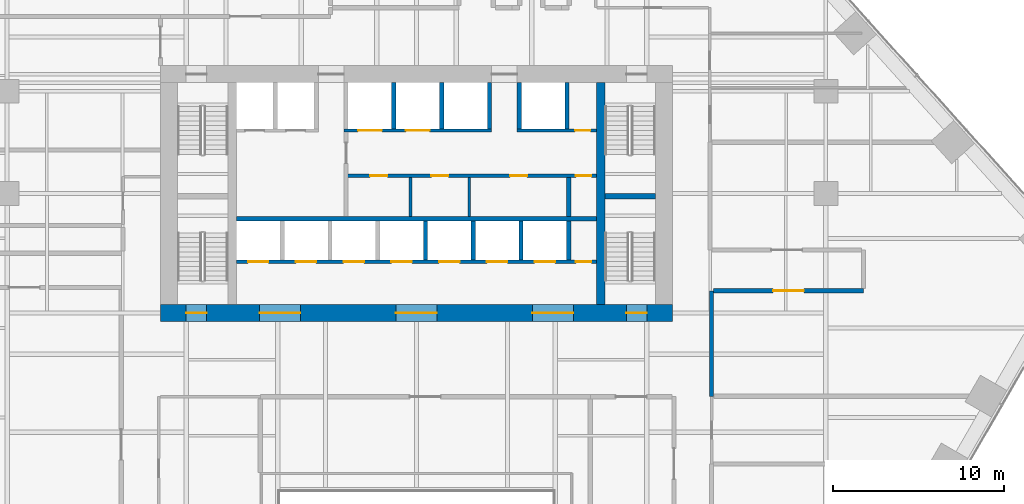
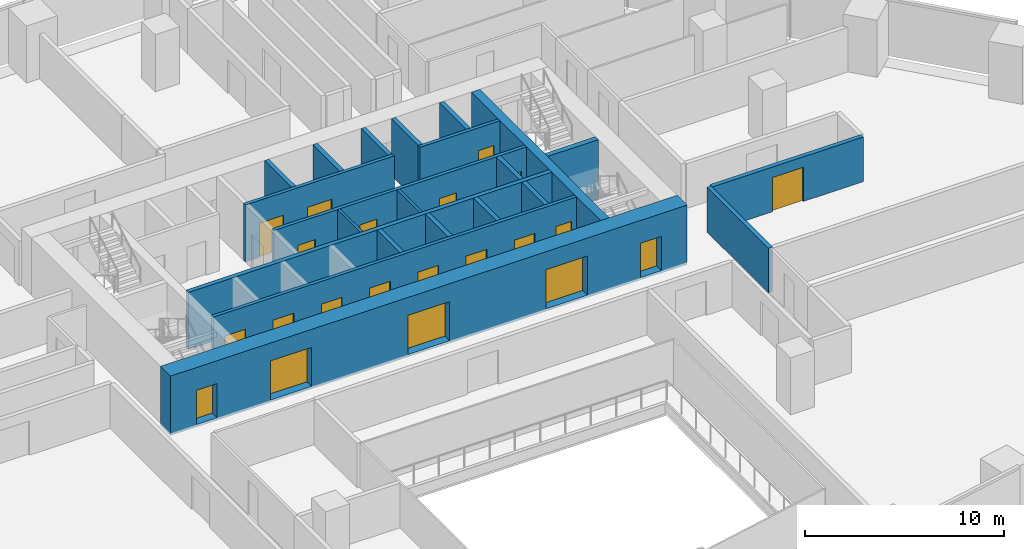
# One storey, part 15 of 21: 22 walls, 21 doors, 21 openings.
"""IFC4 building model written with IfcOpenShell, lengths in metres."""

from ifc_helpers import new_model, si_unit, direction, frame, frame_2d, origin, place, context, subcontext, project, spatial, rectangle, extrude, material, layer, layer_set, type_object, element, fill, save


model = new_model("IFC4")

# Units and contexts
model_context = context("Model", 3, precision=1e-05, world=origin(), true_north=direction((0.0, 1.0)))
body_context = subcontext(model_context, "Body", "Model", "MODEL_VIEW")
ifc_project = project(units=[si_unit("LENGTHUNIT", "METRE"), si_unit("AREAUNIT", "SQUARE_METRE"), si_unit("VOLUMEUNIT", "CUBIC_METRE"), si_unit("PLANEANGLEUNIT", "RADIAN"), si_unit("MASSUNIT", "GRAM", prefix="KILO")], contexts=[model_context])

# Site, building, storey
site_placement = place(None, origin())
site = spatial("IfcSite", under=ifc_project, at=site_placement, CompositionType="ELEMENT")
building_placement = place(site_placement, origin())
building = spatial("IfcBuilding", under=site, at=building_placement, Name="Isthmus Gate Tower", CompositionType="ELEMENT")
storey_placement = place(building_placement, frame((0.0, 0.0, 50.60009765625)))
storey = spatial("IfcBuildingStorey", under=building, at=storey_placement, Name="L10", CompositionType="ELEMENT", Elevation=50.60009765625)

# Wall
ifc_material_1 = material(Name="Double-leaf acoustic stud wall, fire-rated", Category="gypsum")
ifc_layer_1 = layer(ifc_material_1, 0.25)
ifc_layer_set_1 = layer_set([ifc_layer_1], Name="ACOUSTIC WALL 250 60 MIN")
wall_type_1 = type_object("IfcWallType", Name="ACOUSTIC WALL 250 60 MIN", PredefinedType="PARTITIONING", material=ifc_layer_set_1)
wall_1_placement = place(storey_placement, frame((17.300048828125, 1.800048828125, 0.0), z_axis=(0.0, 0.0, 1.0), x_axis=(0.0, -1.0, 0.0)))
element("IfcWall", 1, at=wall_1_placement, inside=storey, type_object=wall_type_1, Name="L10 Acoustic Wall 250 60 Min", PredefinedType="PARTITIONING", context=body_context, shape_type="SweptSolid", body=[
    extrude(rectangle(XDim=6.18994140625, YDim=0.25, at=frame_2d((3.094970703125, 0.0))), origin(), (0.0, 0.0, 1.0), 2.7412109375),
])

# Wall, opening, door
wall_2_placement = place(storey_placement, frame((26.199951171875, 1.800048828125, 0.0), z_axis=(0.0, 0.0, 1.0), x_axis=(-1.0, 0.0, 0.0)))
wall_2 = element("IfcWall", 2, at=wall_2_placement, inside=storey, type_object=wall_type_1, Name="L10 Acoustic Wall 250 60 Min", PredefinedType="PARTITIONING", context=body_context, shape_type="SweptSolid", body=[
    extrude(rectangle(XDim=8.77490234375, YDim=0.25, at=frame_2d((4.387451171875, 0.0))), origin(), (0.0, 0.0, 1.0), 2.7412109375),
])
opening_1_placement = place(wall_2_placement, frame((3.487548828125, 0.0, 0.0)))
opening_1 = element("IfcOpeningElement", 3, at=opening_1_placement, cuts=wall_2, Name="Opening DT-T1B-10", PredefinedType="OPENING", context=body_context, shape_type="SweptSolid", body=[
    extrude(rectangle(XDim=1.800048828125, YDim=2.10009765625, at=frame_2d((0.89990234375, 1.050048828125))), frame((0.0, 0.135009765625, 0.0), z_axis=(0.0, -1.0, 0.0), x_axis=(1.0, 0.0, 0.0)), (0.0, 0.0, 1.0), 0.27001953125),
])
ifc_material_2 = material(Name="Solid core timber door leaf, fire-rated", Category="wood")
door_type_1 = type_object("IfcDoorType", Name="FIRE DOOR ACOUSTIC ROOM 1800 X 2100 60 MIN", OperationType="DOUBLE_DOOR_DOUBLE_SWING", PredefinedType="DOOR", material=ifc_material_2)
door_1_placement = place(opening_1_placement, origin())
door_1 = element("IfcDoor", 4, at=door_1_placement, inside=storey, type_object=door_type_1, Name="L10 room door", OperationType="DOUBLE_DOOR_DOUBLE_SWING", OverallHeight=2.10009765625, OverallWidth=1.800048828125, PredefinedType="DOOR", context=body_context, shape_type="SweptSolid", body=[
    extrude(rectangle(XDim=1.800048828125, YDim=2.10009765625, at=frame_2d((0.89990234375, 1.050048828125))), frame((0.0, 0.02490234375, 0.0), z_axis=(0.0, -1.0, 0.0), x_axis=(1.0, 0.0, 0.0)), (0.0, 0.0, 1.0), 0.050048828125),
])
fill(opening_1, door_1)

# Wall
ifc_material_3 = material(Name="Concrete f'c 70 MPa", Category="concrete")
ifc_layer_2 = layer(ifc_material_3, 0.5)
ifc_layer_set_2 = layer_set([ifc_layer_2], Name="RC CORE SPINE WALL 500 F'C 70")
wall_type_2 = type_object("IfcWallType", Name="RC CORE SPINE WALL 500 F'C 70", PredefinedType="SOLIDWALL", material=ifc_layer_set_2)
wall_3_placement = place(storey_placement, frame((10.800048828125, 1.0, -0.150146484375), z_axis=(0.0, 0.0, 1.0), x_axis=(0.0, 1.0, 0.0)))
element("IfcWall", 5, at=wall_3_placement, inside=storey, type_object=wall_type_2, Name="str-corewall-L10-SPE", PredefinedType="SOLIDWALL", context=body_context, shape_type="SweptSolid", body=[
    extrude(rectangle(XDim=13.0, YDim=0.5, at=frame_2d((6.5, 0.0))), origin(), (0.0, 0.0, 1.0), 3.650146484375),
])

# Wall, openings, doors
ifc_material_4 = material(Name="Concrete f'c 70 MPa", Category="concrete")
ifc_layer_3 = layer(ifc_material_4, 1.0)
ifc_layer_set_3 = layer_set([ifc_layer_3], Name="RC CORE WALL 1000 F'C 70")
wall_type_3 = type_object("IfcWallType", Name="RC CORE WALL 1000 F'C 70", PredefinedType="SOLIDWALL", material=ifc_layer_set_3)
wall_4_placement = place(storey_placement, frame((-15.0, 0.5, -0.150146484375), z_axis=(0.0, 0.0, 1.0), x_axis=(1.0, 0.0, 0.0)))
wall_4 = element("IfcWall", 6, at=wall_4_placement, inside=storey, type_object=wall_type_3, Name="str-corewall-L10-S", PredefinedType="SOLIDWALL", context=body_context, shape_type="SweptSolid", body=[
    extrude(rectangle(XDim=30.0, YDim=1.0, at=frame_2d((15.0, 0.0))), origin(), (0.0, 0.0, 1.0), 3.650146484375),
])
opening_2_placement = place(wall_4_placement, frame((5.800048828125, 0.0, 0.14990234375)))
opening_2 = element("IfcOpeningElement", 7, at=opening_2_placement, cuts=wall_4, Name="Opening DC-A03-08", PredefinedType="OPENING", context=body_context, shape_type="SweptSolid", body=[
    extrude(rectangle(XDim=2.39990234375, YDim=2.39990234375, at=frame_2d((1.199951171875, 1.199951171875))), frame((0.0, 0.510009765625, 0.0), z_axis=(0.0, -1.0, 0.0), x_axis=(1.0, 0.0, 0.0)), (0.0, 0.0, 1.0), 1.02001953125),
])
opening_3_placement = place(wall_4_placement, frame((13.800048828125, 0.0, 0.14990234375)))
opening_3 = element("IfcOpeningElement", 8, at=opening_3_placement, cuts=wall_4, Name="Opening DC-A03-09", PredefinedType="OPENING", context=body_context, shape_type="SweptSolid", body=[
    extrude(rectangle(XDim=2.39990234375, YDim=2.39990234375, at=frame_2d((1.199951171875, 1.199951171875))), frame((0.0, 0.510009765625, 0.0), z_axis=(0.0, -1.0, 0.0), x_axis=(1.0, 0.0, 0.0)), (0.0, 0.0, 1.0), 1.02001953125),
])
opening_4_placement = place(wall_4_placement, frame((21.800048828125, 0.0, 0.14990234375)))
opening_4 = element("IfcOpeningElement", 9, at=opening_4_placement, cuts=wall_4, Name="Opening DC-A03-10", PredefinedType="OPENING", context=body_context, shape_type="SweptSolid", body=[
    extrude(rectangle(XDim=2.39990234375, YDim=2.39990234375, at=frame_2d((1.199951171875, 1.199951171875))), frame((0.0, 0.510009765625, 0.0), z_axis=(0.0, -1.0, 0.0), x_axis=(1.0, 0.0, 0.0)), (0.0, 0.0, 1.0), 1.02001953125),
])
opening_5_placement = place(wall_4_placement, frame((1.5, 0.0, 0.14990234375)))
opening_5 = element("IfcOpeningElement", 10, at=opening_5_placement, cuts=wall_4, Name="Opening DC-A03-15", PredefinedType="OPENING", context=body_context, shape_type="SweptSolid", body=[
    extrude(rectangle(XDim=1.199951171875, YDim=2.10009765625, at=frame_2d((0.60009765625, 1.050048828125))), frame((0.0, 0.510009765625, 0.0), z_axis=(0.0, -1.0, 0.0), x_axis=(1.0, 0.0, 0.0)), (0.0, 0.0, 1.0), 1.02001953125),
])
opening_6_placement = place(wall_4_placement, frame((27.300048828125, 0.0, 0.14990234375)))
opening_6 = element("IfcOpeningElement", 11, at=opening_6_placement, cuts=wall_4, Name="Opening DC-A03-16", PredefinedType="OPENING", context=body_context, shape_type="SweptSolid", body=[
    extrude(rectangle(XDim=1.199951171875, YDim=2.10009765625, at=frame_2d((0.60009765625, 1.050048828125))), frame((0.0, 0.510009765625, 0.0), z_axis=(0.0, -1.0, 0.0), x_axis=(1.0, 0.0, 0.0)), (0.0, 0.0, 1.0), 1.02001953125),
])
ifc_material_5 = material(Name="Laminated safety glass in steel frame, fire-rated", Category="steel")
door_type_2 = type_object("IfcDoorType", Name="LOBBY ENTRANCE FIRE DOOR 2400 X 2400 60 MIN", OperationType="DOUBLE_DOOR_DOUBLE_SWING", PredefinedType="DOOR", material=ifc_material_5)
door_2_placement = place(opening_2_placement, origin())
door_2 = element("IfcDoor", 12, at=door_2_placement, inside=storey, type_object=door_type_2, Name="Lobby Entrance PS-W", OperationType="DOUBLE_DOOR_DOUBLE_SWING", OverallHeight=2.39990234375, OverallWidth=2.39990234375, PredefinedType="DOOR", context=body_context, shape_type="SweptSolid", body=[
    extrude(rectangle(XDim=2.39990234375, YDim=2.39990234375, at=frame_2d((1.199951171875, 1.199951171875))), frame((0.0, 0.02490234375, 0.0), z_axis=(0.0, -1.0, 0.0), x_axis=(1.0, 0.0, 0.0)), (0.0, 0.0, 1.0), 0.050048828125),
])
fill(opening_2, door_2)
door_3_placement = place(opening_3_placement, origin())
door_3 = element("IfcDoor", 13, at=door_3_placement, inside=storey, type_object=door_type_2, Name="Lobby Entrance PS-C", OperationType="DOUBLE_DOOR_DOUBLE_SWING", OverallHeight=2.39990234375, OverallWidth=2.39990234375, PredefinedType="DOOR", context=body_context, shape_type="SweptSolid", body=[
    extrude(rectangle(XDim=2.39990234375, YDim=2.39990234375, at=frame_2d((1.199951171875, 1.199951171875))), frame((0.0, 0.02490234375, 0.0), z_axis=(0.0, -1.0, 0.0), x_axis=(1.0, 0.0, 0.0)), (0.0, 0.0, 1.0), 0.050048828125),
])
fill(opening_3, door_3)
door_4_placement = place(opening_4_placement, origin())
door_4 = element("IfcDoor", 14, at=door_4_placement, inside=storey, type_object=door_type_2, Name="Lobby Entrance PS-E", OperationType="DOUBLE_DOOR_DOUBLE_SWING", OverallHeight=2.39990234375, OverallWidth=2.39990234375, PredefinedType="DOOR", context=body_context, shape_type="SweptSolid", body=[
    extrude(rectangle(XDim=2.39990234375, YDim=2.39990234375, at=frame_2d((1.199951171875, 1.199951171875))), frame((0.0, 0.02490234375, 0.0), z_axis=(0.0, -1.0, 0.0), x_axis=(1.0, 0.0, 0.0)), (0.0, 0.0, 1.0), 0.050048828125),
])
fill(opening_4, door_4)
ifc_material_6 = material(Name="Steel door leaf, fire-rated", Category="steel")
door_type_3 = type_object("IfcDoorType", Name="STAIR FIRE DOOR 1200 X 2100 90 MIN", OperationType="SINGLE_SWING_LEFT", PredefinedType="DOOR", material=ifc_material_6)
door_5_placement = place(opening_5_placement, origin())
door_5 = element("IfcDoor", 15, at=door_5_placement, inside=storey, type_object=door_type_3, Name="Exit Stair 7 Door", OperationType="SINGLE_SWING_LEFT", OverallHeight=2.10009765625, OverallWidth=1.199951171875, PredefinedType="DOOR", context=body_context, shape_type="SweptSolid", body=[
    extrude(rectangle(XDim=1.199951171875, YDim=2.10009765625, at=frame_2d((0.60009765625, 1.050048828125))), frame((0.0, 0.02490234375, 0.0), z_axis=(0.0, -1.0, 0.0), x_axis=(1.0, 0.0, 0.0)), (0.0, 0.0, 1.0), 0.050048828125),
])
fill(opening_5, door_5)
door_6_placement = place(opening_6_placement, origin())
door_6 = element("IfcDoor", 16, at=door_6_placement, inside=storey, type_object=door_type_3, Name="Exit Stair 8 Door", OperationType="SINGLE_SWING_RIGHT", OverallHeight=2.10009765625, OverallWidth=1.199951171875, PredefinedType="DOOR", context=body_context, shape_type="SweptSolid", body=[
    extrude(rectangle(XDim=1.199951171875, YDim=2.10009765625, at=frame_2d((0.60009765625, 1.050048828125))), frame((0.0, 0.02490234375, 0.0), z_axis=(0.0, -1.0, 0.0), x_axis=(1.0, 0.0, 0.0)), (0.0, 0.0, 1.0), 0.050048828125),
])
fill(opening_6, door_6)

# Walls
ifc_material_7 = material(Name="Gypsum board on steel studs, fire-rated", Category="steel")
ifc_layer_4 = layer(ifc_material_7, 0.14990234375)
ifc_layer_set_4 = layer_set([ifc_layer_4], Name="ROOM PARTITION 150 60 MIN")
wall_type_4 = type_object("IfcWallType", Name="ROOM PARTITION 150 60 MIN", PredefinedType="PARTITIONING", material=ifc_layer_set_4)
for number, where, z_axis, x_axis, name in (
    (17, (-0.35009765625, 6.14990234375, 0.0), (0.0, 0.0, 1.0), (0.0, 1.0, 0.0), "L10 ROOM PARTITION 150 60 MIN"),
    (18, (3.10009765625, 6.14990234375, 0.0), (0.0, 0.0, 1.0), (0.0, 1.0, 0.0), "L10 ROOM PARTITION 150 60 MIN"),
):
    element("IfcWall", number, at=place(storey_placement, frame(where, z_axis=z_axis, x_axis=x_axis)), inside=storey, type_object=wall_type_4, Name=name, PredefinedType="PARTITIONING", context=body_context, shape_type="SweptSolid", body=[
        extrude(rectangle(XDim=2.300048828125, YDim=0.14990234375, at=frame_2d((1.14990234375, 0.0))), origin(), (0.0, 0.0, 1.0), 3.5),
    ])

# Wall, openings, doors
ifc_material_8 = material(Name="Fire-rated blockwork masonry, 15 MPa", Category="masonry")
ifc_layer_5 = layer(ifc_material_8, 0.199951171875)
ifc_layer_set_5 = layer_set([ifc_layer_5], Name="SHAFT FRONT WALL 200 120 MIN")
wall_type_5 = type_object("IfcWallType", Name="SHAFT FRONT WALL 200 120 MIN", PredefinedType="PARTITIONING", material=ifc_layer_set_5)
wall_5_placement = place(storey_placement, frame((-10.550048828125, 3.5, 0.0), z_axis=(0.0, 0.0, 1.0), x_axis=(1.0, 0.0, 0.0)))
wall_5 = element("IfcWall", 19, at=wall_5_placement, inside=storey, type_object=wall_type_5, Name="L10 SHAFT FRONT WALL 200 120 MIN", PredefinedType="PARTITIONING", context=body_context, shape_type="SweptSolid", body=[
    extrude(rectangle(XDim=21.10009765625, YDim=0.199951171875, at=frame_2d((10.550048828125, 0.0))), origin(), (0.0, 0.0, 1.0), 3.5),
])
opening_7_placement = place(wall_5_placement, frame((0.675048828125, 0.0, 0.0)))
opening_7 = element("IfcOpeningElement", 20, at=opening_7_placement, cuts=wall_5, Name="Opening LD-LA1", PredefinedType="OPENING", context=body_context, shape_type="SweptSolid", body=[
    extrude(rectangle(XDim=1.199951171875, YDim=2.10009765625, at=frame_2d((0.60009765625, 1.050048828125))), frame((0.0, 0.10986328125, 0.0), z_axis=(0.0, -1.0, 0.0), x_axis=(1.0, 0.0, 0.0)), (0.0, 0.0, 1.0), 0.219970703125),
])
opening_8_placement = place(wall_5_placement, frame((3.47509765625, 0.0, 0.0)))
opening_8 = element("IfcOpeningElement", 21, at=opening_8_placement, cuts=wall_5, Name="Opening LD-LA2", PredefinedType="OPENING", context=body_context, shape_type="SweptSolid", body=[
    extrude(rectangle(XDim=1.199951171875, YDim=2.10009765625, at=frame_2d((0.60009765625, 1.050048828125))), frame((0.0, 0.10986328125, 0.0), z_axis=(0.0, -1.0, 0.0), x_axis=(1.0, 0.0, 0.0)), (0.0, 0.0, 1.0), 0.219970703125),
])
opening_9_placement = place(wall_5_placement, frame((6.27490234375, 0.0, 0.0)))
opening_9 = element("IfcOpeningElement", 22, at=opening_9_placement, cuts=wall_5, Name="Opening LD-LA3", PredefinedType="OPENING", context=body_context, shape_type="SweptSolid", body=[
    extrude(rectangle(XDim=1.199951171875, YDim=2.10009765625, at=frame_2d((0.60009765625, 1.050048828125))), frame((0.0, 0.10986328125, 0.0), z_axis=(0.0, -1.0, 0.0), x_axis=(1.0, 0.0, 0.0)), (0.0, 0.0, 1.0), 0.219970703125),
])
opening_10_placement = place(wall_5_placement, frame((9.074951171875, 0.0, 0.0)))
opening_10 = element("IfcOpeningElement", 23, at=opening_10_placement, cuts=wall_5, Name="Opening LD-LA4", PredefinedType="OPENING", context=body_context, shape_type="SweptSolid", body=[
    extrude(rectangle(XDim=1.199951171875, YDim=2.10009765625, at=frame_2d((0.60009765625, 1.050048828125))), frame((0.0, 0.10986328125, 0.0), z_axis=(0.0, -1.0, 0.0), x_axis=(1.0, 0.0, 0.0)), (0.0, 0.0, 1.0), 0.219970703125),
])
opening_11_placement = place(wall_5_placement, frame((11.875, 0.0, 0.0)))
opening_11 = element("IfcOpeningElement", 24, at=opening_11_placement, cuts=wall_5, Name="Opening LD-LA5", PredefinedType="OPENING", context=body_context, shape_type="SweptSolid", body=[
    extrude(rectangle(XDim=1.199951171875, YDim=2.10009765625, at=frame_2d((0.60009765625, 1.050048828125))), frame((0.0, 0.10986328125, 0.0), z_axis=(0.0, -1.0, 0.0), x_axis=(1.0, 0.0, 0.0)), (0.0, 0.0, 1.0), 0.219970703125),
])
opening_12_placement = place(wall_5_placement, frame((14.675048828125, 0.0, 0.0)))
opening_12 = element("IfcOpeningElement", 25, at=opening_12_placement, cuts=wall_5, Name="Opening LD-LA6", PredefinedType="OPENING", context=body_context, shape_type="SweptSolid", body=[
    extrude(rectangle(XDim=1.199951171875, YDim=2.10009765625, at=frame_2d((0.60009765625, 1.050048828125))), frame((0.0, 0.10986328125, 0.0), z_axis=(0.0, -1.0, 0.0), x_axis=(1.0, 0.0, 0.0)), (0.0, 0.0, 1.0), 0.219970703125),
])
opening_13_placement = place(wall_5_placement, frame((17.47509765625, 0.0, 0.0)))
opening_13 = element("IfcOpeningElement", 26, at=opening_13_placement, cuts=wall_5, Name="Opening LD-LA7", PredefinedType="OPENING", context=body_context, shape_type="SweptSolid", body=[
    extrude(rectangle(XDim=1.199951171875, YDim=2.10009765625, at=frame_2d((0.60009765625, 1.050048828125))), frame((0.0, 0.10986328125, 0.0), z_axis=(0.0, -1.0, 0.0), x_axis=(1.0, 0.0, 0.0)), (0.0, 0.0, 1.0), 0.219970703125),
])
opening_14_placement = place(wall_5_placement, frame((19.89990234375, 0.0, 0.0)))
opening_14 = element("IfcOpeningElement", 27, at=opening_14_placement, cuts=wall_5, Name="Opening DC-A03-02", PredefinedType="OPENING", context=body_context, shape_type="SweptSolid", body=[
    extrude(rectangle(XDim=0.89990234375, YDim=2.10009765625, at=frame_2d((0.449951171875, 1.050048828125))), frame((0.0, 0.10986328125, 0.0), z_axis=(0.0, -1.0, 0.0), x_axis=(1.0, 0.0, 0.0)), (0.0, 0.0, 1.0), 0.219970703125),
])
ifc_material_9 = material(Name="Stainless steel sliding leaf", Category="steel")
door_type_4 = type_object("IfcDoorType", Name="LIFT LANDING FIRE DOOR 1200 X 2100 90 MIN", OperationType="DOUBLE_DOOR_SLIDING", PredefinedType="DOOR", material=ifc_material_9)
door_7_placement = place(opening_7_placement, origin())
door_7 = element("IfcDoor", 28, at=door_7_placement, inside=storey, type_object=door_type_4, Name="Lift Landing Door LA1", OperationType="DOUBLE_DOOR_SLIDING", OverallHeight=2.10009765625, OverallWidth=1.199951171875, PredefinedType="DOOR", context=body_context, shape_type="SweptSolid", body=[
    extrude(rectangle(XDim=1.199951171875, YDim=2.10009765625, at=frame_2d((0.60009765625, 1.050048828125))), frame((0.0, 0.02490234375, 0.0), z_axis=(0.0, -1.0, 0.0), x_axis=(1.0, 0.0, 0.0)), (0.0, 0.0, 1.0), 0.050048828125),
])
fill(opening_7, door_7)
door_8_placement = place(opening_8_placement, origin())
door_8 = element("IfcDoor", 29, at=door_8_placement, inside=storey, type_object=door_type_4, Name="Lift Landing Door LA2", OperationType="DOUBLE_DOOR_SLIDING", OverallHeight=2.10009765625, OverallWidth=1.199951171875, PredefinedType="DOOR", context=body_context, shape_type="SweptSolid", body=[
    extrude(rectangle(XDim=1.199951171875, YDim=2.10009765625, at=frame_2d((0.60009765625, 1.050048828125))), frame((0.0, 0.02490234375, 0.0), z_axis=(0.0, -1.0, 0.0), x_axis=(1.0, 0.0, 0.0)), (0.0, 0.0, 1.0), 0.050048828125),
])
fill(opening_8, door_8)
door_9_placement = place(opening_9_placement, origin())
door_9 = element("IfcDoor", 30, at=door_9_placement, inside=storey, type_object=door_type_4, Name="Lift Landing Door LA3", OperationType="DOUBLE_DOOR_SLIDING", OverallHeight=2.10009765625, OverallWidth=1.199951171875, PredefinedType="DOOR", context=body_context, shape_type="SweptSolid", body=[
    extrude(rectangle(XDim=1.199951171875, YDim=2.10009765625, at=frame_2d((0.60009765625, 1.050048828125))), frame((0.0, 0.02490234375, 0.0), z_axis=(0.0, -1.0, 0.0), x_axis=(1.0, 0.0, 0.0)), (0.0, 0.0, 1.0), 0.050048828125),
])
fill(opening_9, door_9)
door_10_placement = place(opening_10_placement, origin())
door_10 = element("IfcDoor", 31, at=door_10_placement, inside=storey, type_object=door_type_4, Name="Lift Landing Door LA4", OperationType="DOUBLE_DOOR_SLIDING", OverallHeight=2.10009765625, OverallWidth=1.199951171875, PredefinedType="DOOR", context=body_context, shape_type="SweptSolid", body=[
    extrude(rectangle(XDim=1.199951171875, YDim=2.10009765625, at=frame_2d((0.60009765625, 1.050048828125))), frame((0.0, 0.02490234375, 0.0), z_axis=(0.0, -1.0, 0.0), x_axis=(1.0, 0.0, 0.0)), (0.0, 0.0, 1.0), 0.050048828125),
])
fill(opening_10, door_10)
door_11_placement = place(opening_11_placement, origin())
door_11 = element("IfcDoor", 32, at=door_11_placement, inside=storey, type_object=door_type_4, Name="Lift Landing Door LA5", OperationType="DOUBLE_DOOR_SLIDING", OverallHeight=2.10009765625, OverallWidth=1.199951171875, PredefinedType="DOOR", context=body_context, shape_type="SweptSolid", body=[
    extrude(rectangle(XDim=1.199951171875, YDim=2.10009765625, at=frame_2d((0.60009765625, 1.050048828125))), frame((0.0, 0.02490234375, 0.0), z_axis=(0.0, -1.0, 0.0), x_axis=(1.0, 0.0, 0.0)), (0.0, 0.0, 1.0), 0.050048828125),
])
fill(opening_11, door_11)
door_12_placement = place(opening_12_placement, origin())
door_12 = element("IfcDoor", 33, at=door_12_placement, inside=storey, type_object=door_type_4, Name="Lift Landing Door LA6", OperationType="DOUBLE_DOOR_SLIDING", OverallHeight=2.10009765625, OverallWidth=1.199951171875, PredefinedType="DOOR", context=body_context, shape_type="SweptSolid", body=[
    extrude(rectangle(XDim=1.199951171875, YDim=2.10009765625, at=frame_2d((0.60009765625, 1.050048828125))), frame((0.0, 0.02490234375, 0.0), z_axis=(0.0, -1.0, 0.0), x_axis=(1.0, 0.0, 0.0)), (0.0, 0.0, 1.0), 0.050048828125),
])
fill(opening_12, door_12)
door_13_placement = place(opening_13_placement, origin())
door_13 = element("IfcDoor", 34, at=door_13_placement, inside=storey, type_object=door_type_4, Name="Lift Landing Door LA7", OperationType="DOUBLE_DOOR_SLIDING", OverallHeight=2.10009765625, OverallWidth=1.199951171875, PredefinedType="DOOR", context=body_context, shape_type="SweptSolid", body=[
    extrude(rectangle(XDim=1.199951171875, YDim=2.10009765625, at=frame_2d((0.60009765625, 1.050048828125))), frame((0.0, 0.02490234375, 0.0), z_axis=(0.0, -1.0, 0.0), x_axis=(1.0, 0.0, 0.0)), (0.0, 0.0, 1.0), 0.050048828125),
])
fill(opening_13, door_13)
ifc_material_10 = material(Name="Steel door leaf, fire-rated", Category="steel")
door_type_5 = type_object("IfcDoorType", Name="RISER FIRE DOOR 900 X 2100 90 MIN", OperationType="SINGLE_SWING_LEFT", PredefinedType="DOOR", material=ifc_material_10)
door_14_placement = place(opening_14_placement, origin())
door_14 = element("IfcDoor", 35, at=door_14_placement, inside=storey, type_object=door_type_5, Name="Riser Door", OperationType="SINGLE_SWING_RIGHT", OverallHeight=2.10009765625, OverallWidth=0.89990234375, PredefinedType="DOOR", context=body_context, shape_type="SweptSolid", body=[
    extrude(rectangle(XDim=0.89990234375, YDim=2.10009765625, at=frame_2d((0.449951171875, 1.050048828125))), frame((0.0, 0.02490234375, 0.0), z_axis=(0.0, -1.0, 0.0), x_axis=(1.0, 0.0, 0.0)), (0.0, 0.0, 1.0), 0.050048828125),
])
fill(opening_14, door_14)

wall_6_placement = place(storey_placement, frame((-4.125, 8.550048828125, 0.0), z_axis=(0.0, 0.0, 1.0), x_axis=(1.0, 0.0, 0.0)))
wall_6 = element("IfcWall", 36, at=wall_6_placement, inside=storey, type_object=wall_type_5, Name="L10 SHAFT FRONT WALL 200 120 MIN", PredefinedType="PARTITIONING", context=body_context, shape_type="SweptSolid", body=[
    extrude(rectangle(XDim=14.675048828125, YDim=0.199951171875, at=frame_2d((7.33740234375, 0.0))), origin(), (0.0, 0.0, 1.0), 3.5),
])
opening_15_placement = place(wall_6_placement, frame((1.41259765625, 0.0, 0.0)))
opening_15 = element("IfcOpeningElement", 37, at=opening_15_placement, cuts=wall_6, Name="Opening DC-A03-03", PredefinedType="OPENING", context=body_context, shape_type="SweptSolid", body=[
    extrude(rectangle(XDim=1.0, YDim=2.10009765625, at=frame_2d((0.5, 1.050048828125))), frame((0.0, 0.10986328125, 0.0), z_axis=(0.0, -1.0, 0.0), x_axis=(1.0, 0.0, 0.0)), (0.0, 0.0, 1.0), 0.219970703125),
])
opening_16_placement = place(wall_6_placement, frame((5.0, 0.0, 0.0)))
opening_16 = element("IfcOpeningElement", 38, at=opening_16_placement, cuts=wall_6, Name="Opening DC-A03-04", PredefinedType="OPENING", context=body_context, shape_type="SweptSolid", body=[
    extrude(rectangle(XDim=1.0, YDim=2.10009765625, at=frame_2d((0.5, 1.050048828125))), frame((0.0, 0.10986328125, 0.0), z_axis=(0.0, -1.0, 0.0), x_axis=(1.0, 0.0, 0.0)), (0.0, 0.0, 1.0), 0.219970703125),
])
opening_17_placement = place(wall_6_placement, frame((9.612548828125, 0.0, 0.0)))
opening_17 = element("IfcOpeningElement", 39, at=opening_17_placement, cuts=wall_6, Name="Opening DC-A03-05", PredefinedType="OPENING", context=body_context, shape_type="SweptSolid", body=[
    extrude(rectangle(XDim=1.0, YDim=2.10009765625, at=frame_2d((0.5, 1.050048828125))), frame((0.0, 0.10986328125, 0.0), z_axis=(0.0, -1.0, 0.0), x_axis=(1.0, 0.0, 0.0)), (0.0, 0.0, 1.0), 0.219970703125),
])
opening_18_placement = place(wall_6_placement, frame((13.47509765625, 0.0, 0.0)))
opening_18 = element("IfcOpeningElement", 40, at=opening_18_placement, cuts=wall_6, Name="Opening DC-A03-06", PredefinedType="OPENING", context=body_context, shape_type="SweptSolid", body=[
    extrude(rectangle(XDim=0.89990234375, YDim=2.10009765625, at=frame_2d((0.449951171875, 1.050048828125))), frame((0.0, 0.10986328125, 0.0), z_axis=(0.0, -1.0, 0.0), x_axis=(1.0, 0.0, 0.0)), (0.0, 0.0, 1.0), 0.219970703125),
])
ifc_material_11 = material(Name="Steel door leaf, fire-rated", Category="steel")
door_type_6 = type_object("IfcDoorType", Name="FIRE DOOR 1000 X 2100 60 MIN", OperationType="SINGLE_SWING_LEFT", PredefinedType="DOOR", material=ifc_material_11)
door_15_placement = place(opening_15_placement, origin())
door_15 = element("IfcDoor", 41, at=door_15_placement, inside=storey, type_object=door_type_6, Name="WC Men Door", OperationType="SINGLE_SWING_LEFT", OverallHeight=2.10009765625, OverallWidth=1.0, PredefinedType="DOOR", context=body_context, shape_type="SweptSolid", body=[
    extrude(rectangle(XDim=1.0, YDim=2.10009765625, at=frame_2d((0.5, 1.050048828125))), frame((0.0, 0.02490234375, 0.0), z_axis=(0.0, -1.0, 0.0), x_axis=(1.0, 0.0, 0.0)), (0.0, 0.0, 1.0), 0.050048828125),
])
fill(opening_15, door_15)
door_16_placement = place(opening_16_placement, origin())
door_16 = element("IfcDoor", 42, at=door_16_placement, inside=storey, type_object=door_type_6, Name="WC Women Door", OperationType="SINGLE_SWING_RIGHT", OverallHeight=2.10009765625, OverallWidth=1.0, PredefinedType="DOOR", context=body_context, shape_type="SweptSolid", body=[
    extrude(rectangle(XDim=1.0, YDim=2.10009765625, at=frame_2d((0.5, 1.050048828125))), frame((0.0, 0.02490234375, 0.0), z_axis=(0.0, -1.0, 0.0), x_axis=(1.0, 0.0, 0.0)), (0.0, 0.0, 1.0), 0.050048828125),
])
fill(opening_16, door_16)
door_17_placement = place(opening_17_placement, origin())
door_17 = element("IfcDoor", 43, at=door_17_placement, inside=storey, type_object=door_type_6, Name="Accessible WC Door", OperationType="SINGLE_SWING_LEFT", OverallHeight=2.10009765625, OverallWidth=1.0, PredefinedType="DOOR", context=body_context, shape_type="SweptSolid", body=[
    extrude(rectangle(XDim=1.0, YDim=2.10009765625, at=frame_2d((0.5, 1.050048828125))), frame((0.0, 0.02490234375, 0.0), z_axis=(0.0, -1.0, 0.0), x_axis=(1.0, 0.0, 0.0)), (0.0, 0.0, 1.0), 0.050048828125),
])
fill(opening_17, door_17)
door_18_placement = place(opening_18_placement, origin())
door_18 = element("IfcDoor", 44, at=door_18_placement, inside=storey, type_object=door_type_5, Name="Riser Door", OperationType="SINGLE_SWING_RIGHT", OverallHeight=2.10009765625, OverallWidth=0.89990234375, PredefinedType="DOOR", context=body_context, shape_type="SweptSolid", body=[
    extrude(rectangle(XDim=0.89990234375, YDim=2.10009765625, at=frame_2d((0.449951171875, 1.050048828125))), frame((0.0, 0.02490234375, 0.0), z_axis=(0.0, -1.0, 0.0), x_axis=(1.0, 0.0, 0.0)), (0.0, 0.0, 1.0), 0.050048828125),
])
fill(opening_18, door_18)

wall_7_placement = place(storey_placement, frame((-4.25, 11.199951171875, 0.0), z_axis=(0.0, 0.0, 1.0), x_axis=(1.0, 0.0, 0.0)))
wall_7 = element("IfcWall", 45, at=wall_7_placement, inside=storey, type_object=wall_type_5, Name="L10 SHAFT FRONT WALL 200 120 MIN", PredefinedType="PARTITIONING", context=body_context, shape_type="SweptSolid", body=[
    extrude(rectangle(XDim=8.64990234375, YDim=0.199951171875, at=frame_2d((4.324951171875, 0.0))), origin(), (0.0, 0.0, 1.0), 3.5),
])
opening_19_placement = place(wall_7_placement, frame((0.824951171875, 0.0, 0.0)))
opening_19 = element("IfcOpeningElement", 46, at=opening_19_placement, cuts=wall_7, Name="Opening LD-LV1", PredefinedType="OPENING", context=body_context, shape_type="SweptSolid", body=[
    extrude(rectangle(XDim=1.39990234375, YDim=2.10009765625, at=frame_2d((0.699951171875, 1.050048828125))), frame((0.0, 0.10986328125, 0.0), z_axis=(0.0, -1.0, 0.0), x_axis=(1.0, 0.0, 0.0)), (0.0, 0.0, 1.0), 0.219970703125),
])
opening_20_placement = place(wall_7_placement, frame((3.625, 0.0, 0.0)))
opening_20 = element("IfcOpeningElement", 47, at=opening_20_placement, cuts=wall_7, Name="Opening LD-LV2", PredefinedType="OPENING", context=body_context, shape_type="SweptSolid", body=[
    extrude(rectangle(XDim=1.39990234375, YDim=2.10009765625, at=frame_2d((0.699951171875, 1.050048828125))), frame((0.0, 0.10986328125, 0.0), z_axis=(0.0, -1.0, 0.0), x_axis=(1.0, 0.0, 0.0)), (0.0, 0.0, 1.0), 0.219970703125),
])
ifc_material_12 = material(Name="Stainless steel sliding leaf", Category="steel")
door_type_7 = type_object("IfcDoorType", Name="LIFT LANDING FIRE DOOR 1400 X 2100 90 MIN", OperationType="DOUBLE_DOOR_SLIDING", PredefinedType="DOOR", material=ifc_material_12)
door_19_placement = place(opening_19_placement, origin())
door_19 = element("IfcDoor", 48, at=door_19_placement, inside=storey, type_object=door_type_7, Name="Lift Landing Door LV1", OperationType="DOUBLE_DOOR_SLIDING", OverallHeight=2.10009765625, OverallWidth=1.39990234375, PredefinedType="DOOR", context=body_context, shape_type="SweptSolid", body=[
    extrude(rectangle(XDim=1.39990234375, YDim=2.10009765625, at=frame_2d((0.699951171875, 1.050048828125))), frame((0.0, 0.02490234375, 0.0), z_axis=(0.0, -1.0, 0.0), x_axis=(1.0, 0.0, 0.0)), (0.0, 0.0, 1.0), 0.050048828125),
])
fill(opening_19, door_19)
door_20_placement = place(opening_20_placement, origin())
door_20 = element("IfcDoor", 49, at=door_20_placement, inside=storey, type_object=door_type_7, Name="Lift Landing Door LV2", OperationType="DOUBLE_DOOR_SLIDING", OverallHeight=2.10009765625, OverallWidth=1.39990234375, PredefinedType="DOOR", context=body_context, shape_type="SweptSolid", body=[
    extrude(rectangle(XDim=1.39990234375, YDim=2.10009765625, at=frame_2d((0.699951171875, 1.050048828125))), frame((0.0, 0.02490234375, 0.0), z_axis=(0.0, -1.0, 0.0), x_axis=(1.0, 0.0, 0.0)), (0.0, 0.0, 1.0), 0.050048828125),
])
fill(opening_20, door_20)

# Wall, opening, door
wall_8_placement = place(storey_placement, frame((5.89990234375, 11.199951171875, 0.0), z_axis=(0.0, 0.0, 1.0), x_axis=(1.0, 0.0, 0.0)))
wall_8 = element("IfcWall", 50, at=wall_8_placement, inside=storey, type_object=wall_type_5, Name="L10 SHAFT FRONT WALL 200 120 MIN", PredefinedType="PARTITIONING", context=body_context, shape_type="SweptSolid", body=[
    extrude(rectangle(XDim=4.650146484375, YDim=0.199951171875, at=frame_2d((2.3251953125, 0.0))), origin(), (0.0, 0.0, 1.0), 3.5),
])
opening_21_placement = place(wall_8_placement, frame((3.39990234375, 0.0, 0.0)))
opening_21 = element("IfcOpeningElement", 51, at=opening_21_placement, cuts=wall_8, Name="Opening DC-A03-07", PredefinedType="OPENING", context=body_context, shape_type="SweptSolid", body=[
    extrude(rectangle(XDim=0.89990234375, YDim=2.10009765625, at=frame_2d((0.449951171875, 1.050048828125))), frame((0.0, 0.10986328125, 0.0), z_axis=(0.0, -1.0, 0.0), x_axis=(1.0, 0.0, 0.0)), (0.0, 0.0, 1.0), 0.219970703125),
])
door_21_placement = place(opening_21_placement, origin())
door_21 = element("IfcDoor", 52, at=door_21_placement, inside=storey, type_object=door_type_5, Name="Riser Door", OperationType="SINGLE_SWING_LEFT", OverallHeight=2.10009765625, OverallWidth=0.89990234375, PredefinedType="DOOR", context=body_context, shape_type="SweptSolid", body=[
    extrude(rectangle(XDim=0.89990234375, YDim=2.10009765625, at=frame_2d((0.449951171875, 1.050048828125))), frame((0.0, 0.02490234375, 0.0), z_axis=(0.0, -1.0, 0.0), x_axis=(1.0, 0.0, 0.0)), (0.0, 0.0, 1.0), 0.050048828125),
])
fill(opening_21, door_21)

# Walls
ifc_material_13 = material(Name="Fire-rated blockwork masonry, 15 MPa", Category="masonry")
ifc_layer_6 = layer(ifc_material_13, 0.25)
ifc_layer_set_6 = layer_set([ifc_layer_6], Name="SHAFT WALL 250 120 MIN")
wall_type_6 = type_object("IfcWallType", Name="SHAFT WALL 250 120 MIN", PredefinedType="PARTITIONING", material=ifc_layer_set_6)
wall_9_placement = place(storey_placement, frame((-10.550048828125, 6.02490234375, 0.0), z_axis=(0.0, 0.0, 1.0), x_axis=(1.0, 0.0, 0.0)))
element("IfcWall", 53, at=wall_9_placement, inside=storey, type_object=wall_type_6, Name="L10 SHAFT WALL 250 120 MIN", PredefinedType="PARTITIONING", context=body_context, shape_type="SweptSolid", body=[
    extrude(rectangle(XDim=21.10009765625, YDim=0.25, at=frame_2d((10.550048828125, 0.0))), origin(), (0.0, 0.0, 1.0), 3.5),
])
for number, where, z_axis, x_axis, name in (
    (54, (0.52490234375, 3.60009765625, 0.0), (0.0, 0.0, 1.0), (0.0, 1.0, 0.0), "L10 SHAFT WALL 250 120 MIN"),
    (55, (3.324951171875, 3.60009765625, 0.0), (0.0, 0.0, 1.0), (0.0, 1.0, 0.0), "L10 SHAFT WALL 250 120 MIN"),
    (56, (6.125, 3.60009765625, 0.0), (0.0, 0.0, 1.0), (0.0, 1.0, 0.0), "L10 SHAFT WALL 250 120 MIN"),
    (57, (8.925048828125, 3.60009765625, 0.0), (0.0, 0.0, 1.0), (0.0, 1.0, 0.0), "L10 SHAFT WALL 250 120 MIN"),
):
    element("IfcWall", number, at=place(storey_placement, frame(where, z_axis=z_axis, x_axis=x_axis)), inside=storey, type_object=wall_type_6, Name=name, PredefinedType="PARTITIONING", context=body_context, shape_type="SweptSolid", body=[
        extrude(rectangle(XDim=2.2998046875, YDim=0.25, at=frame_2d((1.14990234375, 0.0))), origin(), (0.0, 0.0, 1.0), 3.5),
    ])
wall_10_placement = place(storey_placement, frame((8.925048828125, 6.14990234375, 0.0), z_axis=(0.0, 0.0, 1.0), x_axis=(0.0, 1.0, 0.0)))
element("IfcWall", 58, at=wall_10_placement, inside=storey, type_object=wall_type_6, Name="L10 SHAFT WALL 250 120 MIN", PredefinedType="PARTITIONING", context=body_context, shape_type="SweptSolid", body=[
    extrude(rectangle(XDim=2.300048828125, YDim=0.25, at=frame_2d((1.14990234375, 0.0))), origin(), (0.0, 0.0, 1.0), 3.5),
])
for number, where, z_axis, x_axis, name in (
    (59, (-1.324951171875, 11.300048828125, 0.0), (0.0, 0.0, 1.0), (0.0, 1.0, 0.0), "L10 SHAFT WALL 250 120 MIN"),
    (60, (1.47509765625, 11.300048828125, 0.0), (0.0, 0.0, 1.0), (0.0, 1.0, 0.0), "L10 SHAFT WALL 250 120 MIN"),
    (61, (4.27490234375, 11.300048828125, 0.0), (0.0, 0.0, 1.0), (0.0, 1.0, 0.0), "L10 SHAFT WALL 250 120 MIN"),
    (62, (6.02490234375, 11.300048828125, 0.0), (0.0, 0.0, 1.0), (0.0, 1.0, 0.0), "L10 SHAFT WALL 250 120 MIN"),
    (63, (8.824951171875, 11.300048828125, 0.0), (0.0, 0.0, 1.0), (0.0, 1.0, 0.0), "L10 SHAFT WALL 250 120 MIN"),
):
    element("IfcWall", number, at=place(storey_placement, frame(where, z_axis=z_axis, x_axis=x_axis)), inside=storey, type_object=wall_type_6, Name=name, PredefinedType="PARTITIONING", context=body_context, shape_type="SweptSolid", body=[
        extrude(rectangle(XDim=2.699951171875, YDim=0.25, at=frame_2d((1.35009765625, 0.0))), origin(), (0.0, 0.0, 1.0), 3.5),
    ])
ifc_material_14 = material(Name="Concrete f'c 40 MPa", Category="concrete")
ifc_layer_7 = layer(ifc_material_14, 0.300048828125)
ifc_layer_set_7 = layer_set([ifc_layer_7], Name="STAIR ENCLOSURE WALL 300 180 MIN")
wall_type_7 = type_object("IfcWallType", Name="STAIR ENCLOSURE WALL 300 180 MIN", PredefinedType="SOLIDWALL", material=ifc_layer_set_7)
wall_11_placement = place(storey_placement, frame((11.050048828125, 7.35009765625, -0.150146484375), z_axis=(0.0, 0.0, 1.0), x_axis=(1.0, 0.0, 0.0)))
element("IfcWall", 64, at=wall_11_placement, inside=storey, type_object=wall_type_7, Name="L10 STAIR ENCLOSURE WALL 300 180 MIN", PredefinedType="SOLIDWALL", context=body_context, shape_type="SweptSolid", body=[
    extrude(rectangle(XDim=2.949951171875, YDim=0.300048828125, at=frame_2d((1.47509765625, 0.0))), origin(), (0.0, 0.0, 1.0), 3.650146484375),
])

save(model, "model.ifc")
